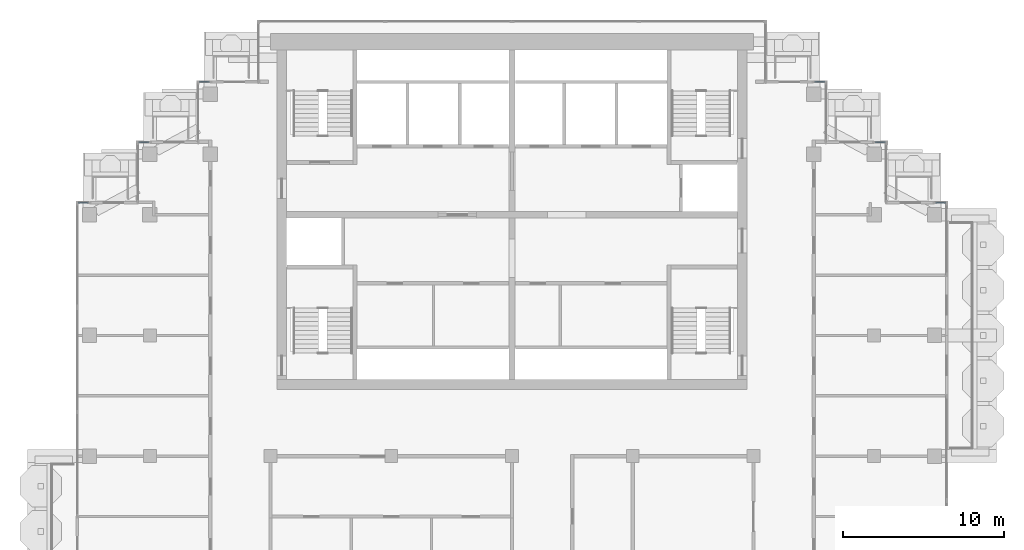
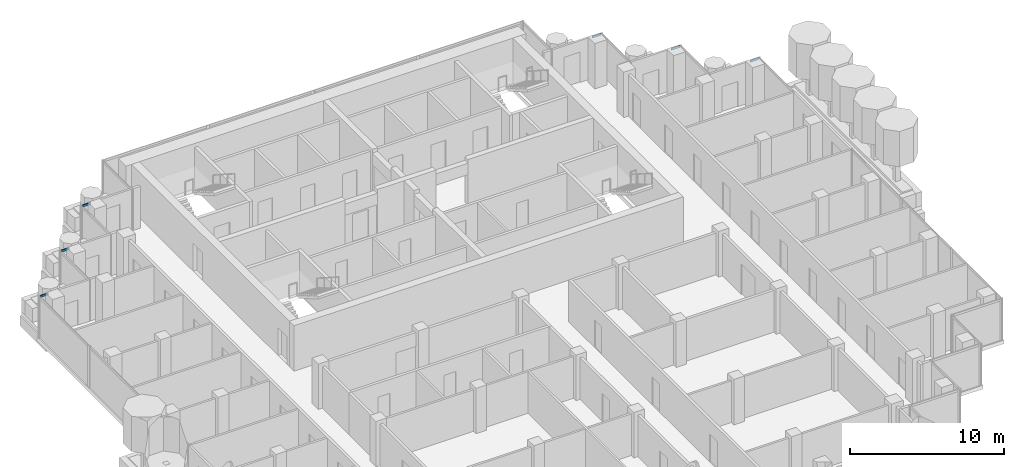
# One storey, part 7 of 19: 6 members, 6 elements without a shape of their own.
"""IFC4 building model written with IfcOpenShell, lengths in metres."""

from ifc_helpers import new_model, si_unit, direction, frame, origin, origin_2d, place, context, subcontext, project, spatial, rectangle, extrude, material, material_profile, profile_set, type_object, element, aggregate, save


model = new_model("IFC4")

# Units and contexts
model_context = context("Model", 3, precision=1e-05, world=origin(), true_north=direction((0.0, 1.0)))
body_context = subcontext(model_context, "Body", "Model", "MODEL_VIEW")
ifc_project = project(units=[si_unit("LENGTHUNIT", "METRE"), si_unit("AREAUNIT", "SQUARE_METRE"), si_unit("VOLUMEUNIT", "CUBIC_METRE"), si_unit("PLANEANGLEUNIT", "RADIAN"), si_unit("MASSUNIT", "GRAM", prefix="KILO")], contexts=[model_context])

# Site, building, storey
site_placement = place(None, origin())
site = spatial("IfcSite", under=ifc_project, at=site_placement, CompositionType="ELEMENT")
building_placement = place(site_placement, origin())
building = spatial("IfcBuilding", under=site, at=building_placement, Name="Pilkhan Gate Tower", CompositionType="ELEMENT")
storey_placement = place(building_placement, frame((0.0, 0.0, 246.300048828125)))
storey = spatial("IfcBuildingStorey", under=building, at=storey_placement, Name="L64", CompositionType="ELEMENT", Elevation=246.300048828125)

# Curtain wall, member
ifc_material_1 = material(Name="Pale anodised aluminium, clear low-iron double glazing", Category="aluminium")
curtain_wall_type = type_object("IfcCurtainWallType", Name="Office unitised curtain wall CW-O2", PredefinedType="USERDEFINED", material=ifc_material_1)
curtain_wall_1_placement = place(storey_placement, origin())
curtain_wall_1 = element("IfcCurtainWall", 1, at=curtain_wall_1_placement, inside=storey, type_object=curtain_wall_type, Name="Office unitised curtain wall CW-O2 L64 N", ObjectType="UNITISED CURTAIN WALL", PredefinedType="USERDEFINED")
ifc_material_2 = material(Name="Pale anodised aluminium", Category="aluminium")
ifc_material_profile = material_profile(ifc_material_2, rectangle(XDim=0.06494140625, YDim=0.1650390625, at=origin_2d()), Name="Transom 165x65")
ifc_profile_set = profile_set([ifc_material_profile], Name="Pale anodised aluminium")
member_type = type_object("IfcMemberType", Name="Transom CW-O2 165x65", PredefinedType="USERDEFINED", material=ifc_profile_set)
member_1_placement = place(storey_placement, frame((101.31494140625, 83.25, 3.217529296875), z_axis=(1.0, 0.0, 0.0), x_axis=(0.0, 1.0, 0.0)))
member_1 = element("IfcMember", 2, at=member_1_placement, type_object=member_type, Name="CW-O2 transom 1", ObjectType="TRANSOM", PredefinedType="USERDEFINED", context=body_context, shape_type="SweptSolid", body=[
    extrude(rectangle(XDim=0.06494140625, YDim=0.1650390625, at=origin_2d()), origin(), (0.0, 0.0, 1.0), 0.6201171875),
])
aggregate(curtain_wall_1, [member_1])

curtain_wall_2_placement = place(storey_placement, origin())
curtain_wall_2 = element("IfcCurtainWall", 3, at=curtain_wall_2_placement, inside=storey, type_object=curtain_wall_type, Name="Office unitised curtain wall CW-O2 L64 N", ObjectType="UNITISED CURTAIN WALL", PredefinedType="USERDEFINED")
member_2_placement = place(storey_placement, frame((97.56494140625, 87.0, 3.217529296875), z_axis=(1.0, 0.0, 0.0), x_axis=(0.0, 1.0, 0.0)))
member_2 = element("IfcMember", 4, at=member_2_placement, type_object=member_type, Name="CW-O2 transom 1", ObjectType="TRANSOM", PredefinedType="USERDEFINED", context=body_context, shape_type="SweptSolid", body=[
    extrude(rectangle(XDim=0.06494140625, YDim=0.1650390625, at=origin_2d()), origin(), (0.0, 0.0, 1.0), 0.6201171875),
])
aggregate(curtain_wall_2, [member_2])

curtain_wall_3_placement = place(storey_placement, origin())
curtain_wall_3 = element("IfcCurtainWall", 5, at=curtain_wall_3_placement, inside=storey, type_object=curtain_wall_type, Name="Office unitised curtain wall CW-O2 L64 N", ObjectType="UNITISED CURTAIN WALL", PredefinedType="USERDEFINED")
member_3_placement = place(storey_placement, frame((93.81494140625, 90.75, 3.217529296875), z_axis=(1.0, 0.0, 0.0), x_axis=(0.0, 1.0, 0.0)))
member_3 = element("IfcMember", 6, at=member_3_placement, type_object=member_type, Name="CW-O2 transom 1", ObjectType="TRANSOM", PredefinedType="USERDEFINED", context=body_context, shape_type="SweptSolid", body=[
    extrude(rectangle(XDim=0.06494140625, YDim=0.1650390625, at=origin_2d()), origin(), (0.0, 0.0, 1.0), 0.6201171875),
])
aggregate(curtain_wall_3, [member_3])

curtain_wall_4_placement = place(storey_placement, origin())
curtain_wall_4 = element("IfcCurtainWall", 7, at=curtain_wall_4_placement, inside=storey, type_object=curtain_wall_type, Name="Office unitised curtain wall CW-O2 L64 N", ObjectType="UNITISED CURTAIN WALL", PredefinedType="USERDEFINED")
member_4_placement = place(storey_placement, frame((55.56494140625, 90.75, 3.217529296875), z_axis=(1.0, 0.0, 0.0), x_axis=(0.0, 1.0, 0.0)))
member_4 = element("IfcMember", 8, at=member_4_placement, type_object=member_type, Name="CW-O2 transom 1", ObjectType="TRANSOM", PredefinedType="USERDEFINED", context=body_context, shape_type="SweptSolid", body=[
    extrude(rectangle(XDim=0.06494140625, YDim=0.1650390625, at=origin_2d()), origin(), (0.0, 0.0, 1.0), 0.6201171875),
])
aggregate(curtain_wall_4, [member_4])

curtain_wall_5_placement = place(storey_placement, origin())
curtain_wall_5 = element("IfcCurtainWall", 9, at=curtain_wall_5_placement, inside=storey, type_object=curtain_wall_type, Name="Office unitised curtain wall CW-O2 L64 N", ObjectType="UNITISED CURTAIN WALL", PredefinedType="USERDEFINED")
member_5_placement = place(storey_placement, frame((51.81494140625, 87.0, 3.217529296875), z_axis=(1.0, 0.0, 0.0), x_axis=(0.0, 1.0, 0.0)))
member_5 = element("IfcMember", 10, at=member_5_placement, type_object=member_type, Name="CW-O2 transom 1", ObjectType="TRANSOM", PredefinedType="USERDEFINED", context=body_context, shape_type="SweptSolid", body=[
    extrude(rectangle(XDim=0.06494140625, YDim=0.1650390625, at=origin_2d()), origin(), (0.0, 0.0, 1.0), 0.6201171875),
])
aggregate(curtain_wall_5, [member_5])

curtain_wall_6_placement = place(storey_placement, origin())
curtain_wall_6 = element("IfcCurtainWall", 11, at=curtain_wall_6_placement, inside=storey, type_object=curtain_wall_type, Name="Office unitised curtain wall CW-O2 L64 N", ObjectType="UNITISED CURTAIN WALL", PredefinedType="USERDEFINED")
member_6_placement = place(storey_placement, frame((48.06494140625, 83.25, 3.217529296875), z_axis=(1.0, 0.0, 0.0), x_axis=(0.0, 1.0, 0.0)))
member_6 = element("IfcMember", 12, at=member_6_placement, type_object=member_type, Name="CW-O2 transom 1", ObjectType="TRANSOM", PredefinedType="USERDEFINED", context=body_context, shape_type="SweptSolid", body=[
    extrude(rectangle(XDim=0.06494140625, YDim=0.1650390625, at=origin_2d()), origin(), (0.0, 0.0, 1.0), 0.6201171875),
])
aggregate(curtain_wall_6, [member_6])

save(model, "model.ifc")
